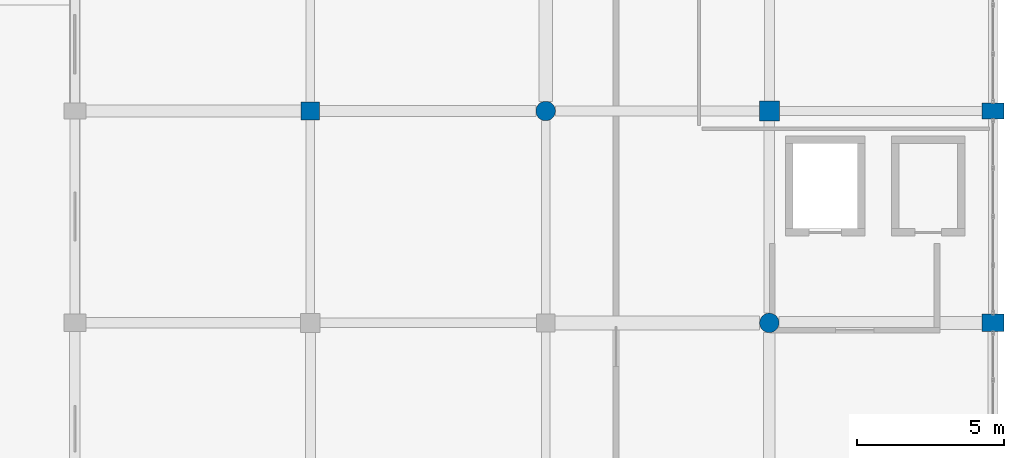
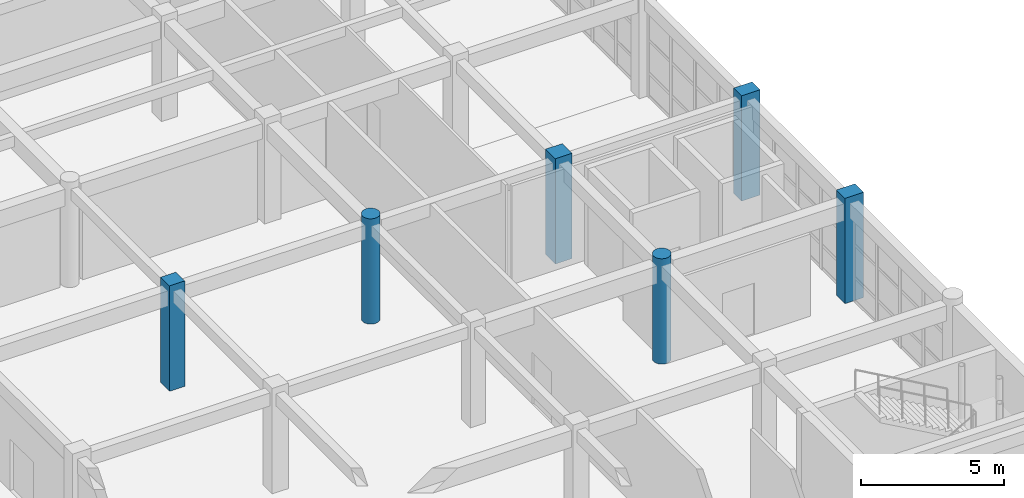
# One storey, part 33 of 160: 6 columns.
"""IFC4 building model written with IfcOpenShell, lengths in metres."""

from ifc_helpers import new_model, si_unit, direction, frame, origin, origin_2d, place, context, subcontext, project, spatial, rectangle, circle, extrude, material, material_profile, profile_set, type_object, element, save


model = new_model("IFC4")

# Units and contexts
model_context = context("Model", 3, precision=1e-05, world=origin(), true_north=direction((0.0, 1.0)))
body_context = subcontext(model_context, "Body", "Model", "MODEL_VIEW")
ifc_project = project(units=[si_unit("LENGTHUNIT", "METRE"), si_unit("AREAUNIT", "SQUARE_METRE"), si_unit("VOLUMEUNIT", "CUBIC_METRE"), si_unit("PLANEANGLEUNIT", "RADIAN"), si_unit("MASSUNIT", "GRAM", prefix="KILO")], contexts=[model_context])

# Site, building, storey
site_placement = place(None, origin())
site = spatial("IfcSite", under=ifc_project, at=site_placement, CompositionType="ELEMENT")
building_placement = place(site_placement, origin())
building = spatial("IfcBuilding", under=site, at=building_placement, Name="Kharva Crest Polytechnic", CompositionType="ELEMENT")
storey_placement = place(building_placement, frame((0.0, 0.0, 4.5)))
storey = spatial("IfcBuildingStorey", under=building, at=storey_placement, Name="L01", CompositionType="ELEMENT", Elevation=4.5)

# Columns
ifc_material = material(Name="Concrete C40/50", Category="concrete")
ifc_material_profile_1 = material_profile(ifc_material, rectangle(XDim=0.75, YDim=0.550048828125, at=origin_2d()), Name="RECT 750 X 550")
ifc_profile_set_1 = profile_set([ifc_material_profile_1], Name="Concrete C40/50")
column_type_1 = type_object("IfcColumnType", Name="COL-EXT-750X550", PredefinedType="COLUMN", material=ifc_profile_set_1)
column_1_placement = place(storey_placement, frame((184.0, 93.199951171875, 0.0), z_axis=(0.0, 0.0, 1.0), x_axis=(1.0, 0.0, 0.0)))
element("IfcColumn", 1, at=column_1_placement, inside=storey, type_object=column_type_1, Name="L01 Column 24/N", PredefinedType="COLUMN", context=body_context, shape_type="SweptSolid", body=[
    extrude(rectangle(XDim=0.75, YDim=0.550048828125, at=origin_2d()), origin(), (0.0, 0.0, 1.0), 4.5),
])
ifc_material_profile_2 = material_profile(ifc_material, rectangle(XDim=0.75, YDim=0.60009765625, at=origin_2d()), Name="RECT 750 X 600")
ifc_profile_set_2 = profile_set([ifc_material_profile_2], Name="Concrete C40/50")
column_type_2 = type_object("IfcColumnType", Name="COL-EXT-750X600", PredefinedType="COLUMN", material=ifc_profile_set_2)
column_2_placement = place(storey_placement, frame((184.0, 86.0, 0.0), z_axis=(0.0, 0.0, 1.0), x_axis=(1.0, 0.0, 0.0)))
element("IfcColumn", 2, at=column_2_placement, inside=storey, type_object=column_type_2, Name="L01 Column 24/M", PredefinedType="COLUMN", context=body_context, shape_type="SweptSolid", body=[
    extrude(rectangle(XDim=0.75, YDim=0.60009765625, at=origin_2d()), origin(), (0.0, 0.0, 1.0), 4.5),
])
ifc_material_profile_3 = material_profile(ifc_material, rectangle(XDim=0.6201171875, YDim=0.6201171875, at=origin_2d()), Name="RECT 620 X 620")
ifc_profile_set_3 = profile_set([ifc_material_profile_3], Name="Concrete C40/50")
column_type_3 = type_object("IfcColumnType", Name="COL-INT-620X620", PredefinedType="COLUMN", material=ifc_profile_set_3)
column_3_placement = place(storey_placement, frame((160.800048828125, 93.199951171875, 0.0), z_axis=(0.0, 0.0, 1.0), x_axis=(1.0, 0.0, 0.0)))
element("IfcColumn", 3, at=column_3_placement, inside=storey, type_object=column_type_3, Name="L01 Column 21/N", PredefinedType="COLUMN", context=body_context, shape_type="SweptSolid", body=[
    extrude(rectangle(XDim=0.6201171875, YDim=0.6201171875, at=origin_2d()), origin(), (0.0, 0.0, 1.0), 4.5),
])
ifc_material_profile_4 = material_profile(ifc_material, rectangle(XDim=0.679931640625, YDim=0.679931640625, at=origin_2d()), Name="RECT 680 X 680")
ifc_profile_set_4 = profile_set([ifc_material_profile_4], Name="Concrete C40/50")
column_type_4 = type_object("IfcColumnType", Name="COL-INT-680X680", PredefinedType="COLUMN", material=ifc_profile_set_4)
column_4_placement = place(storey_placement, frame((176.39990234375, 93.199951171875, 0.0), z_axis=(0.0, 0.0, 1.0), x_axis=(1.0, 0.0, 0.0)))
element("IfcColumn", 4, at=column_4_placement, inside=storey, type_object=column_type_4, Name="L01 Column 23/N", PredefinedType="COLUMN", context=body_context, shape_type="SweptSolid", body=[
    extrude(rectangle(XDim=0.679931640625, YDim=0.679931640625, at=origin_2d()), origin(), (0.0, 0.0, 1.0), 4.5),
])
ifc_material_profile_5 = material_profile(ifc_material, circle(Radius=0.330078125, at=origin_2d()), Name="DIA 660")
ifc_profile_set_5 = profile_set([ifc_material_profile_5], Name="Concrete C40/50")
column_type_5 = type_object("IfcColumnType", Name="COL-INT-DIA660", PredefinedType="COLUMN", material=ifc_profile_set_5)
for number, where, z_axis, x_axis, name in (
    (5, (168.800048828125, 93.199951171875, 0.0), (0.0, 0.0, 1.0), (1.0, 0.0, 0.0), "L01 Column 22/N"),
    (6, (176.39990234375, 86.0, 0.0), (0.0, 0.0, 1.0), (1.0, 0.0, 0.0), "L01 Column 23/M"),
):
    element("IfcColumn", number, at=place(storey_placement, frame(where, z_axis=z_axis, x_axis=x_axis)), inside=storey, type_object=column_type_5, Name=name, PredefinedType="COLUMN", context=body_context, shape_type="SweptSolid", body=[
        extrude(circle(Radius=0.330078125, at=origin_2d()), origin(), (0.0, 0.0, 1.0), 4.5),
    ])

save(model, "model.ifc")
